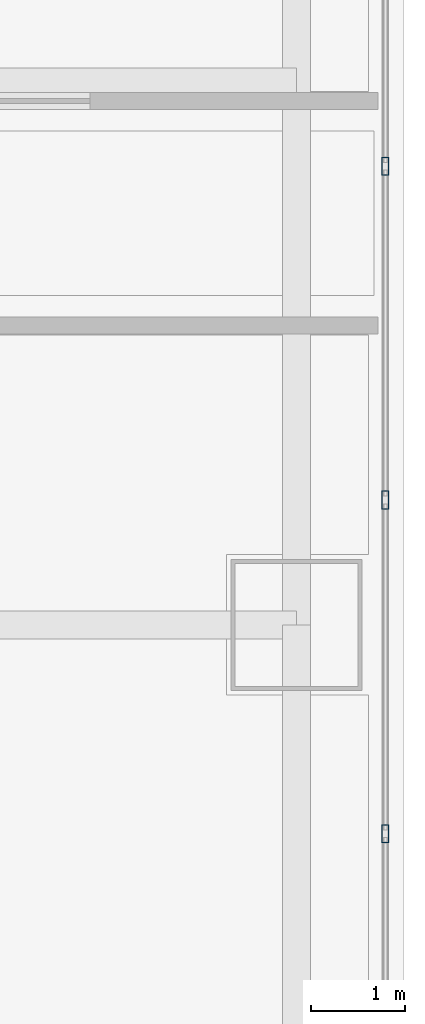
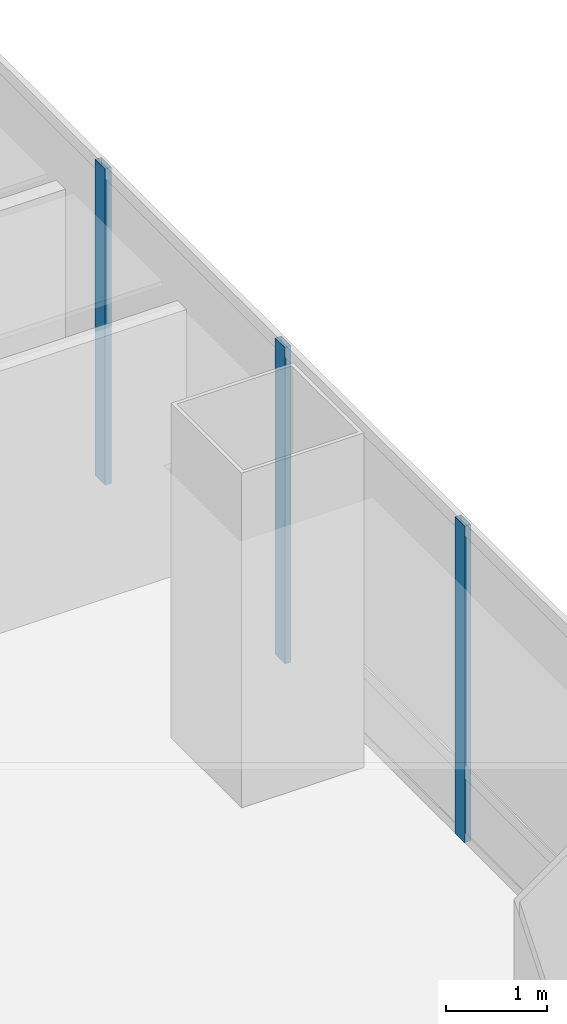
# One storey, part 16 of 38: 3 members, 1 element without a shape of its own.
"""IFC4 building model written with IfcOpenShell, lengths in metres."""

import ifcopenshell
import ifcopenshell.guid

model = None  # the IFC model being written
_history = None  # IfcOwnerHistory: only IFC2X3 demands one
_inside = {}  # id of a spatial element -> (the spatial element, [elements in it])
_under = {}  # id of a project, library or spatial element -> (it, [spatial elements below it])
_declared = {}  # id of a project -> (the project, [libraries it declares])
_typed = {}  # id of a type object -> (the type object, [elements of that type])
_made_of = {}  # id of a material, layer set ... -> (it, [elements and type objects made of it])


def new_model(schema):
    """Start an empty IFC model of exactly this schema.

    Asked for "IFC4X3", IfcOpenShell would pick the latest addendum, in which some entities
    have other attributes; the version numbers below select the first issue.
    IFC2X3 requires an IfcOwnerHistory on every rooted entity: one is made here for all.
    """
    global model, _history
    if schema == "IFC4X3":
        model = ifcopenshell.file(schema_version=(4, 3, 0, 0))
    else:
        model = ifcopenshell.file(schema=schema)
    _inside.clear()
    _under.clear()
    _declared.clear()
    _typed.clear()
    _made_of.clear()
    _history = None
    if model.schema == "IFC2X3":
        org = make("IfcOrganization", Name="unknown")
        user = make(
            "IfcPersonAndOrganization",
            ThePerson=make("IfcPerson", FamilyName="unknown"),
            TheOrganization=org,
        )
        app = make(
            "IfcApplication",
            ApplicationDeveloper=org,
            Version="unknown",
            ApplicationFullName="unknown",
            ApplicationIdentifier="unknown",
        )
        _history = make(
            "IfcOwnerHistory",
            OwningUser=user,
            OwningApplication=app,
            ChangeAction="ADDED",
            CreationDate=0,
        )
    return model


def make(cls, **values):
    """One entity of the class cls with the attributes given. An attribute that is None is left unset."""
    return model.create_entity(
        cls, **{name: value for name, value in values.items() if value is not None}
    )


def rooted(cls, **values):
    """An entity with a GlobalId (a new one), such as an element, a storey or a relation."""
    return make(cls, GlobalId=ifcopenshell.guid.new(), OwnerHistory=_history, **values)


def si_unit(unit_type, name, prefix=None):
    """IfcSIUnit, for example si_unit("LENGTHUNIT", "METRE", prefix="MILLI")."""
    return make("IfcSIUnit", UnitType=unit_type, Prefix=prefix, Name=name)


def assignment(units):
    """IfcUnitAssignment: the units of a project."""
    return None if units is None else make("IfcUnitAssignment", Units=units)


def point(xyz):
    """IfcCartesianPoint."""
    return None if xyz is None else make("IfcCartesianPoint", Coordinates=xyz)


def direction(xyz):
    """IfcDirection."""
    return None if xyz is None else make("IfcDirection", DirectionRatios=xyz)


def frame(location, z_axis=None, x_axis=None):
    """IfcAxis2Placement3D, a coordinate frame: its origin and axes. An axis left out is left unset."""
    return make(
        "IfcAxis2Placement3D",
        Location=point(location),
        Axis=direction(z_axis),
        RefDirection=direction(x_axis),
    )


def frame_2d(location, x_axis=None):
    """IfcAxis2Placement2D, a coordinate frame in the plane: its origin and x axis."""
    return make(
        "IfcAxis2Placement2D", Location=point(location), RefDirection=direction(x_axis)
    )


def origin():
    """The frame at (0, 0, 0) with its axes left unset."""
    return frame((0.0, 0.0, 0.0))


def origin_2d():
    """The frame at (0, 0) in the plane with its x axis left unset."""
    return frame_2d((0.0, 0.0))


def place(relative_to, where):
    """IfcLocalPlacement: puts the frame where relative to a parent placement (None: the world)."""
    return make(
        "IfcLocalPlacement", PlacementRelTo=relative_to, RelativePlacement=where
    )


def context(
    kind, dimensions, precision=None, world=None, true_north=None, identifier=None
):
    """IfcGeometricRepresentationContext, for example the 3D "Model" context."""
    return make(
        "IfcGeometricRepresentationContext",
        ContextIdentifier=identifier,
        ContextType=kind,
        CoordinateSpaceDimension=dimensions,
        Precision=precision,
        WorldCoordinateSystem=world,
        TrueNorth=true_north,
    )


def subcontext(parent, identifier, kind, view, scale=None):
    """IfcGeometricRepresentationSubContext, for example "Body" below "Model"."""
    return make(
        "IfcGeometricRepresentationSubContext",
        ContextIdentifier=identifier,
        ContextType=kind,
        ParentContext=parent,
        TargetScale=scale,
        TargetView=view,
    )


def project(units=None, contexts=None):
    """IfcProject with its units and contexts."""
    return rooted(
        "IfcProject",
        Name="project",
        RepresentationContexts=contexts,
        UnitsInContext=assignment(units),
    )


def spatial(cls, under=None, at=None, **own):
    """A site, building, storey or space (cls), placed at a placement, below another one or the project."""
    s = rooted(cls, ObjectPlacement=at, **own)
    if under is not None:
        _under.setdefault(under.id(), (under, []))[1].append(s)
    return s


def profile(cls, at=None, kind="AREA", **sizes):
    """A parametric profile (cls). Its sizes go by their IFC names, for example OverallWidth=200.0."""
    return make(cls, ProfileType=kind, Position=at, **sizes)


def hollow_rectangle(**sizes):
    """IfcRectangleHollowProfileDef."""
    return profile("IfcRectangleHollowProfileDef", **sizes)


def extrude(swept, where, along, depth):
    """IfcExtrudedAreaSolid: the profile swept, set in the frame where, extruded along a direction by depth."""
    return make(
        "IfcExtrudedAreaSolid",
        SweptArea=swept,
        Position=where,
        ExtrudedDirection=direction(along),
        Depth=depth,
    )


def shape(context_of_items, identifier, shape_type, items):
    """IfcShapeRepresentation: the items that make up one representation, for example the "Body"."""
    return make(
        "IfcShapeRepresentation",
        ContextOfItems=context_of_items,
        RepresentationIdentifier=identifier,
        RepresentationType=shape_type,
        Items=items,
    )


def material(Name=None, Category=None):
    """IfcMaterial."""
    return make("IfcMaterial", Name=Name, Category=Category)


def material_profile(
    of_material, cross_section, Name=None, Category=None, Priority=None
):
    """IfcMaterialProfile: a cross section and its material."""
    return make(
        "IfcMaterialProfile",
        Name=Name,
        Material=of_material,
        Profile=cross_section,
        Priority=Priority,
        Category=Category,
    )


def profile_set(profiles, Name=None, composite=None):
    """IfcMaterialProfileSet."""
    return make(
        "IfcMaterialProfileSet",
        Name=Name,
        MaterialProfiles=profiles,
        CompositeProfile=composite,
    )


def made_of(thing, what):
    """Note that an element or type object is made of a material, layer set ...; save() writes the relation."""
    if what is not None:
        _made_of.setdefault(what.id(), (what, []))[1].append(thing)
    return thing


def type_object(cls, material=None, **own):
    """A type object (cls), such as IfcWallType, which elements share."""
    return made_of(rooted(cls, **own), material)


def element(
    cls,
    number,
    at=None,
    inside=None,
    cuts=None,
    type_object=None,
    material=None,
    context=None,
    identifier="Body",
    shape_type=None,
    held_by="IfcProductDefinitionShape",
    body=None,
    shapes=None,
    **own,
):
    """One element of the class cls, such as IfcWall. Its Tag is "e" and its number.

    at: its placement. inside: the storey or other place that contains it. cuts: it is an
    opening in that element (IfcRelVoidsElement). A single representation is given by context,
    identifier, shape_type and body (its items); several are given by shapes. held_by: the class
    of the entity that holds the representations. save() writes the other relations.
    """
    e = rooted(cls, Tag="e%d" % number, ObjectPlacement=at, **own)
    if body is not None:
        shapes = [shape(context, identifier, shape_type, body)]
    if shapes is not None:
        e.Representation = make(held_by, Representations=shapes)
    if inside is not None:
        _inside.setdefault(inside.id(), (inside, []))[1].append(e)
    if cuts is not None:
        rooted(
            "IfcRelVoidsElement", RelatingBuildingElement=cuts, RelatedOpeningElement=e
        )
    if type_object is not None:
        _typed.setdefault(type_object.id(), (type_object, []))[1].append(e)
    return made_of(e, material)


def aggregate(whole, parts):
    """IfcRelAggregates: a whole, such as a stair, and the parts it consists of."""
    return rooted("IfcRelAggregates", RelatingObject=whole, RelatedObjects=parts)


def save(model, path):
    """Write the relations noted so far, then the file.

    IfcRelAggregates (storeys below a building ...), IfcRelContainedInSpatialStructure (elements
    in a storey), IfcRelDefinesByType, IfcRelAssociatesMaterial and IfcRelDeclares: one each for
    every whole, place, type object, material and project.
    """
    for whole, parts in _under.values():
        aggregate(whole, parts)
    for where, things in _inside.values():
        rooted(
            "IfcRelContainedInSpatialStructure",
            RelatedElements=things,
            RelatingStructure=where,
        )
    for kind, things in _typed.values():
        rooted("IfcRelDefinesByType", RelatedObjects=things, RelatingType=kind)
    for what, things in _made_of.values():
        rooted("IfcRelAssociatesMaterial", RelatedObjects=things, RelatingMaterial=what)
    for by, libraries in _declared.values():
        rooted("IfcRelDeclares", RelatingContext=by, RelatedDefinitions=libraries)
    model.write(path)


model = new_model("IFC4")

# Units and contexts
model_context = context("Model", 3, precision=1e-05, world=origin(), true_north=direction((0.0, 1.0)))
body_context = subcontext(model_context, "Body", "Model", "MODEL_VIEW")
ifc_project = project(units=[si_unit("LENGTHUNIT", "METRE"), si_unit("AREAUNIT", "SQUARE_METRE"), si_unit("VOLUMEUNIT", "CUBIC_METRE"), si_unit("PLANEANGLEUNIT", "RADIAN"), si_unit("MASSUNIT", "GRAM", prefix="KILO")], contexts=[model_context])

# Site, building, storey
site_placement = place(None, origin())
site = spatial("IfcSite", under=ifc_project, at=site_placement, CompositionType="ELEMENT")
building_placement = place(site_placement, origin())
building = spatial("IfcBuilding", under=site, at=building_placement, Name="Punatoya Terracotta Tower", CompositionType="ELEMENT")
storey_placement = place(building_placement, frame((0.0, 0.0, 188.39990234375)))
storey = spatial("IfcBuildingStorey", under=building, at=storey_placement, Name="L44", CompositionType="ELEMENT", Elevation=188.39990234375)

# Curtain wall, members
ifc_material_1 = material(Name="Aluminium 6063-T6 + Double Low-E Glass", Category="aluminium")
curtain_wall_type = type_object("IfcCurtainWallType", Name="CW-M2", PredefinedType="NOTDEFINED", material=ifc_material_1)
curtain_wall_placement = place(storey_placement, origin())
curtain_wall = element("IfcCurtainWall", 1, at=curtain_wall_placement, inside=storey, type_object=curtain_wall_type, Name="L44 Curtain Wall CW-L44-E05-1", PredefinedType="NOTDEFINED")
ifc_material_2 = material(Name="Aluminium 6063-T6", Category="aluminium")
ifc_material_profile = material_profile(ifc_material_2, hollow_rectangle(XDim=0.072021484375, YDim=0.195068359375, WallThickness=0.00439453125, at=origin_2d()))
ifc_profile_set = profile_set([ifc_material_profile], Name="Aluminium 6063-T6")
member_type = type_object("IfcMemberType", Name="CW-MUL-M2", PredefinedType="MULLION", material=ifc_profile_set)
member_1_placement = place(storey_placement, frame((20.050048828125, 1.16748046875, 0.0), z_axis=(0.0, 0.0, 1.0), x_axis=(1.0, 0.0, 0.0)))
member_1 = element("IfcMember", 2, at=member_1_placement, type_object=member_type, Name="CW-L44-E05-1 Mullion 06", PredefinedType="MULLION", context=body_context, shape_type="SweptSolid", body=[
    extrude(hollow_rectangle(XDim=0.072021484375, YDim=0.195068359375, WallThickness=0.00439453125, at=origin_2d()), origin(), (0.0, 0.0, 1.0), 3.830078125),
])
member_2_placement = place(storey_placement, frame((20.050048828125, 4.73486328125, 0.0), z_axis=(0.0, 0.0, 1.0), x_axis=(1.0, 0.0, 0.0)))
member_2 = element("IfcMember", 3, at=member_2_placement, type_object=member_type, Name="CW-L44-E05-1 Mullion 07", PredefinedType="MULLION", context=body_context, shape_type="SweptSolid", body=[
    extrude(hollow_rectangle(XDim=0.072021484375, YDim=0.195068359375, WallThickness=0.00439453125, at=origin_2d()), origin(), (0.0, 0.0, 1.0), 3.830078125),
])
member_3_placement = place(storey_placement, frame((20.050048828125, 8.302001953125, 0.0), z_axis=(0.0, 0.0, 1.0), x_axis=(1.0, 0.0, 0.0)))
member_3 = element("IfcMember", 4, at=member_3_placement, type_object=member_type, Name="CW-L44-E05-1 Mullion 08", PredefinedType="MULLION", context=body_context, shape_type="SweptSolid", body=[
    extrude(hollow_rectangle(XDim=0.072021484375, YDim=0.195068359375, WallThickness=0.00439453125, at=origin_2d()), origin(), (0.0, 0.0, 1.0), 3.830078125),
])
aggregate(curtain_wall, [member_1, member_2, member_3])

save(model, "model.ifc")
